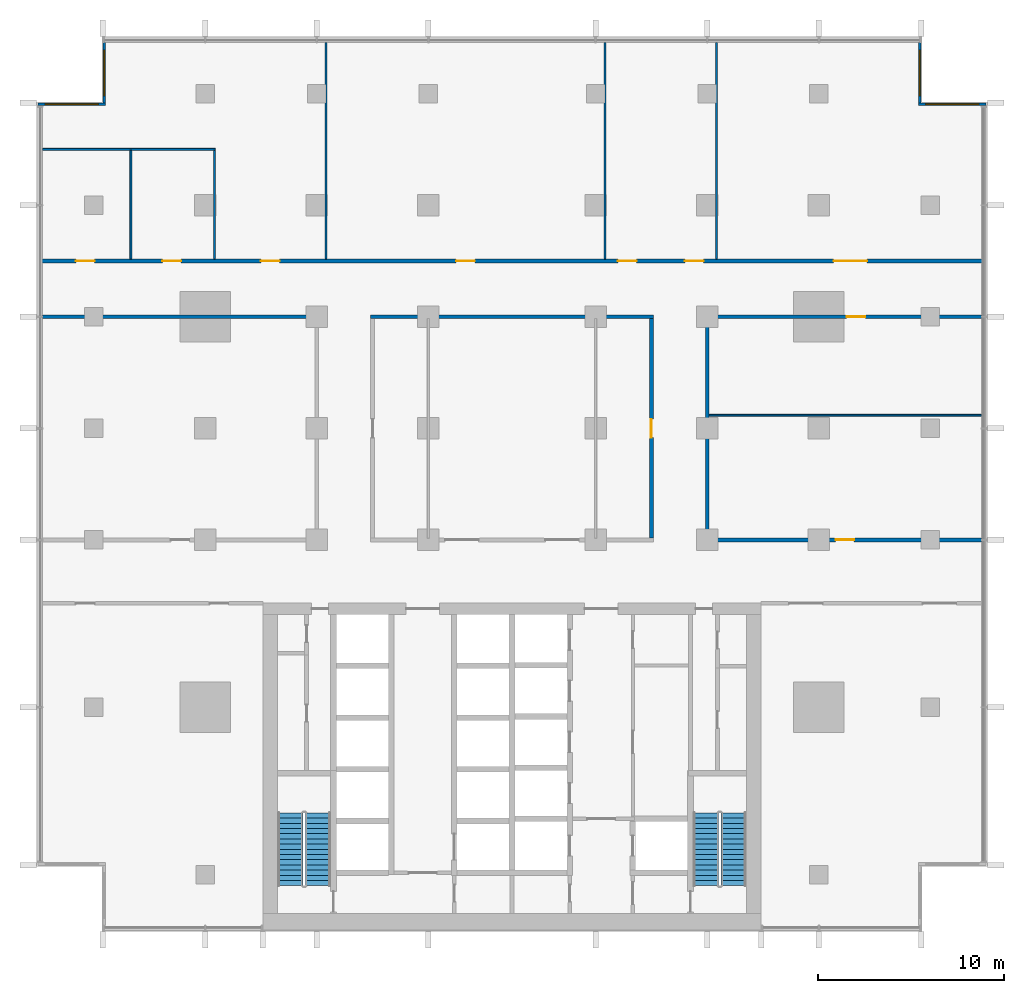
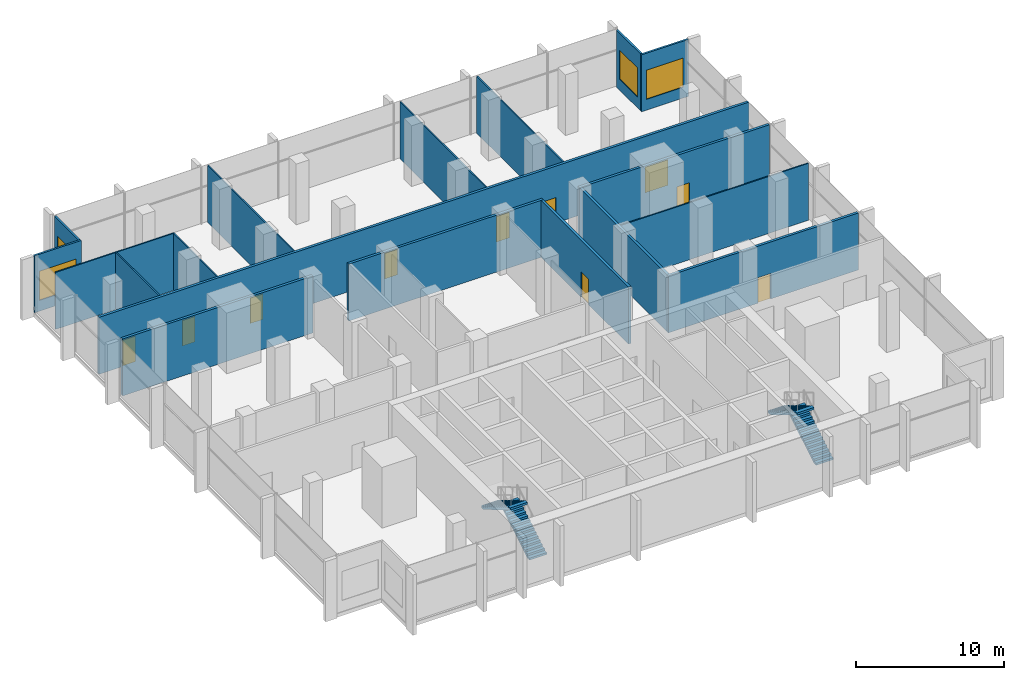
# One storey, part 9 of 14: 18 walls, 10 doors, 4 stair flights, 4 windows, 14 openings, 2 elements without a shape of their own.
"""IFC4 building model written with IfcOpenShell, lengths in metres."""

from ifc_helpers import new_model, si_unit, direction, frame, frame_2d, origin, place, context, subcontext, project, spatial, polyline, rectangle, outline, extrude, material, layer, layer_set, type_object, element, fill, aggregate, save


model = new_model("IFC4")

# Units and contexts
model_context = context("Model", 3, precision=1e-05, world=origin(), true_north=direction((0.0, 1.0)))
body_context = subcontext(model_context, "Body", "Model", "MODEL_VIEW")
ifc_project = project(units=[si_unit("LENGTHUNIT", "METRE"), si_unit("AREAUNIT", "SQUARE_METRE"), si_unit("VOLUMEUNIT", "CUBIC_METRE"), si_unit("PLANEANGLEUNIT", "RADIAN"), si_unit("MASSUNIT", "GRAM", prefix="KILO")], contexts=[model_context])

# Site, building, storey
site_placement = place(None, origin())
site = spatial("IfcSite", under=ifc_project, at=site_placement, CompositionType="ELEMENT")
building_placement = place(site_placement, origin())
building = spatial("IfcBuilding", under=site, at=building_placement, Name="Finial Court Residences", CompositionType="ELEMENT")
storey_placement = place(building_placement, frame((0.0, 0.0, 133.89990234375)))
storey = spatial("IfcBuildingStorey", under=building, at=storey_placement, Name="L33", CompositionType="ELEMENT", Elevation=133.89990234375)

# Wall, opening, door
ifc_material_1 = material(Name="Gypsum board")
ifc_layer_1 = layer(ifc_material_1, 0.02490234375)
ifc_material_2 = material(Name="Acoustic mineral wool in double frame")
ifc_layer_2 = layer(ifc_material_2, 0.14990234375)
ifc_layer_3 = layer(ifc_material_1, 0.02490234375)
ifc_layer_set_1 = layer_set([ifc_layer_1, ifc_layer_2, ifc_layer_3], Name="Corridor wall 200, 1 hour")
wall_type_1 = type_object("IfcWallType", Name="Corridor wall 200, 1 hour", PredefinedType="PARTITIONING", material=ifc_layer_set_1)
wall_1_placement = place(storey_placement, frame((10.39990234375, -4.5, 0.0), z_axis=(0.0, 0.0, 1.0), x_axis=(1.0, 0.0, 0.0)))
wall_1 = element("IfcWall", 1, at=wall_1_placement, inside=storey, type_object=wall_type_1, Name="Partition L33-004", PredefinedType="PARTITIONING", context=body_context, shape_type="SweptSolid", body=[
    extrude(rectangle(XDim=14.837646484375, YDim=0.199951171875, at=frame_2d((7.4189453125, 0.0))), origin(), (0.0, 0.0, 1.0), 4.7001953125),
])
opening_1_placement = place(wall_1_placement, frame((7.0, 0.0, 0.0)))
opening_1 = element("IfcOpeningElement", 2, at=opening_1_placement, cuts=wall_1, Name="Opening L33-D008", PredefinedType="OPENING", context=body_context, shape_type="SweptSolid", body=[
    extrude(rectangle(XDim=1.0, YDim=2.10009765625, at=frame_2d((0.5, 1.050048828125))), frame((0.0, 0.10986328125, 0.0), z_axis=(0.0, -1.0, 0.0), x_axis=(1.0, 0.0, 0.0)), (0.0, 0.0, 1.0), 0.219970703125),
])
ifc_material_3 = material(Name="Timber door leaf in hollow metal frame", Category="wood")
door_type_1 = type_object("IfcDoorType", Name="Fire door set 1000 x 2100, 30 minutes", OperationType="SINGLE_SWING_LEFT", PredefinedType="DOOR", material=ifc_material_3)
door_1_placement = place(opening_1_placement, origin())
door_1 = element("IfcDoor", 3, at=door_1_placement, inside=storey, type_object=door_type_1, Name="Door L33-D008", OperationType="SINGLE_SWING_RIGHT", OverallHeight=2.10009765625, OverallWidth=1.0, PredefinedType="DOOR", context=body_context, shape_type="SweptSolid", body=[
    extrude(rectangle(XDim=1.0, YDim=2.10009765625, at=frame_2d((0.5, 1.050048828125))), frame((0.0, 0.02490234375, 0.0), z_axis=(0.0, -1.0, 0.0), x_axis=(1.0, 0.0, 0.0)), (0.0, 0.0, 1.0), 0.050048828125),
])
fill(opening_1, door_1)

# Walls
wall_2_placement = place(storey_placement, frame((-25.237548828125, 7.5, 0.0), z_axis=(0.0, 0.0, 1.0), x_axis=(1.0, 0.0, 0.0)))
element("IfcWall", 4, at=wall_2_placement, inside=storey, type_object=wall_type_1, Name="Partition L33-006", PredefinedType="PARTITIONING", context=body_context, shape_type="SweptSolid", body=[
    extrude(rectangle(XDim=14.837646484375, YDim=0.199951171875, at=frame_2d((7.4189453125, 0.0))), origin(), (0.0, 0.0, 1.0), 4.7001953125),
])
wall_3_placement = place(storey_placement, frame((-7.60009765625, 7.5, 0.0), z_axis=(0.0, 0.0, 1.0), x_axis=(1.0, 0.0, 0.0)))
element("IfcWall", 5, at=wall_3_placement, inside=storey, type_object=wall_type_1, Name="Partition L33-007", PredefinedType="PARTITIONING", context=body_context, shape_type="SweptSolid", body=[
    extrude(rectangle(XDim=15.2001953125, YDim=0.199951171875, at=frame_2d((7.60009765625, 0.0))), origin(), (0.0, 0.0, 1.0), 4.7001953125),
])

# Wall, opening, door
wall_4_placement = place(storey_placement, frame((10.39990234375, 7.5, 0.0), z_axis=(0.0, 0.0, 1.0), x_axis=(1.0, 0.0, 0.0)))
wall_4 = element("IfcWall", 6, at=wall_4_placement, inside=storey, type_object=wall_type_1, Name="Partition L33-008", PredefinedType="PARTITIONING", context=body_context, shape_type="SweptSolid", body=[
    extrude(rectangle(XDim=14.837646484375, YDim=0.199951171875, at=frame_2d((7.4189453125, 0.0))), origin(), (0.0, 0.0, 1.0), 4.7001953125),
])
opening_2_placement = place(wall_4_placement, frame((7.60009765625, 0.0, 0.0)))
opening_2 = element("IfcOpeningElement", 7, at=opening_2_placement, cuts=wall_4, Name="Opening L33-D009", PredefinedType="OPENING", context=body_context, shape_type="SweptSolid", body=[
    extrude(rectangle(XDim=1.0, YDim=2.10009765625, at=frame_2d((0.5, 1.050048828125))), frame((0.0, 0.10986328125, 0.0), z_axis=(0.0, -1.0, 0.0), x_axis=(1.0, 0.0, 0.0)), (0.0, 0.0, 1.0), 0.219970703125),
])
door_2_placement = place(opening_2_placement, origin())
door_2 = element("IfcDoor", 8, at=door_2_placement, inside=storey, type_object=door_type_1, Name="Door L33-D009", OperationType="SINGLE_SWING_RIGHT", OverallHeight=2.10009765625, OverallWidth=1.0, PredefinedType="DOOR", context=body_context, shape_type="SweptSolid", body=[
    extrude(rectangle(XDim=1.0, YDim=2.10009765625, at=frame_2d((0.5, 1.050048828125))), frame((0.0, 0.02490234375, 0.0), z_axis=(0.0, -1.0, 0.0), x_axis=(1.0, 0.0, 0.0)), (0.0, 0.0, 1.0), 0.050048828125),
])
fill(opening_2, door_2)

# Wall, openings, doors
wall_5_placement = place(storey_placement, frame((-25.35009765625, 10.5, 0.0), z_axis=(0.0, 0.0, 1.0), x_axis=(1.0, 0.0, 0.0)))
wall_5 = element("IfcWall", 9, at=wall_5_placement, inside=storey, type_object=wall_type_1, Name="Partition L33-009", PredefinedType="PARTITIONING", context=body_context, shape_type="SweptSolid", body=[
    extrude(rectangle(XDim=50.7001953125, YDim=0.199951171875, at=frame_2d((25.35009765625, 0.0))), origin(), (0.0, 0.0, 1.0), 4.7001953125),
])
opening_3_placement = place(wall_5_placement, frame((1.89990234375, 0.0, 0.0)))
opening_3 = element("IfcOpeningElement", 10, at=opening_3_placement, cuts=wall_5, Name="Opening L33-D010", PredefinedType="OPENING", context=body_context, shape_type="SweptSolid", body=[
    extrude(rectangle(XDim=1.0, YDim=2.10009765625, at=frame_2d((0.5, 1.050048828125))), frame((0.0, 0.10986328125, 0.0), z_axis=(0.0, -1.0, 0.0), x_axis=(1.0, 0.0, 0.0)), (0.0, 0.0, 1.0), 0.219970703125),
])
opening_4_placement = place(wall_5_placement, frame((6.550048828125, 0.0, 0.0)))
opening_4 = element("IfcOpeningElement", 11, at=opening_4_placement, cuts=wall_5, Name="Opening L33-D011", PredefinedType="OPENING", context=body_context, shape_type="SweptSolid", body=[
    extrude(rectangle(XDim=1.0, YDim=2.10009765625, at=frame_2d((0.5, 1.050048828125))), frame((0.0, 0.10986328125, 0.0), z_axis=(0.0, -1.0, 0.0), x_axis=(1.0, 0.0, 0.0)), (0.0, 0.0, 1.0), 0.219970703125),
])
opening_5_placement = place(wall_5_placement, frame((11.85009765625, 0.0, 0.0)))
opening_5 = element("IfcOpeningElement", 12, at=opening_5_placement, cuts=wall_5, Name="Opening L33-D012", PredefinedType="OPENING", context=body_context, shape_type="SweptSolid", body=[
    extrude(rectangle(XDim=1.0, YDim=2.10009765625, at=frame_2d((0.5, 1.050048828125))), frame((0.0, 0.10986328125, 0.0), z_axis=(0.0, -1.0, 0.0), x_axis=(1.0, 0.0, 0.0)), (0.0, 0.0, 1.0), 0.219970703125),
])
opening_6_placement = place(wall_5_placement, frame((22.35009765625, 0.0, 0.0)))
opening_6 = element("IfcOpeningElement", 13, at=opening_6_placement, cuts=wall_5, Name="Opening L33-D013", PredefinedType="OPENING", context=body_context, shape_type="SweptSolid", body=[
    extrude(rectangle(XDim=1.0, YDim=2.10009765625, at=frame_2d((0.5, 1.050048828125))), frame((0.0, 0.10986328125, 0.0), z_axis=(0.0, -1.0, 0.0), x_axis=(1.0, 0.0, 0.0)), (0.0, 0.0, 1.0), 0.219970703125),
])
opening_7_placement = place(wall_5_placement, frame((31.050048828125, 0.0, 0.0)))
opening_7 = element("IfcOpeningElement", 14, at=opening_7_placement, cuts=wall_5, Name="Opening L33-D014", PredefinedType="OPENING", context=body_context, shape_type="SweptSolid", body=[
    extrude(rectangle(XDim=1.0, YDim=2.10009765625, at=frame_2d((0.5, 1.050048828125))), frame((0.0, 0.10986328125, 0.0), z_axis=(0.0, -1.0, 0.0), x_axis=(1.0, 0.0, 0.0)), (0.0, 0.0, 1.0), 0.219970703125),
])
opening_8_placement = place(wall_5_placement, frame((34.64990234375, 0.0, 0.0)))
opening_8 = element("IfcOpeningElement", 15, at=opening_8_placement, cuts=wall_5, Name="Opening L33-D015", PredefinedType="OPENING", context=body_context, shape_type="SweptSolid", body=[
    extrude(rectangle(XDim=1.0, YDim=2.10009765625, at=frame_2d((0.5, 1.050048828125))), frame((0.0, 0.10986328125, 0.0), z_axis=(0.0, -1.0, 0.0), x_axis=(1.0, 0.0, 0.0)), (0.0, 0.0, 1.0), 0.219970703125),
])
opening_9_placement = place(wall_5_placement, frame((42.64990234375, 0.0, 0.0)))
opening_9 = element("IfcOpeningElement", 16, at=opening_9_placement, cuts=wall_5, Name="Opening L33-D016", PredefinedType="OPENING", context=body_context, shape_type="SweptSolid", body=[
    extrude(rectangle(XDim=1.800048828125, YDim=2.10009765625, at=frame_2d((0.89990234375, 1.050048828125))), frame((0.0, 0.10986328125, 0.0), z_axis=(0.0, -1.0, 0.0), x_axis=(1.0, 0.0, 0.0)), (0.0, 0.0, 1.0), 0.219970703125),
])
door_3_placement = place(opening_3_placement, origin())
door_3 = element("IfcDoor", 17, at=door_3_placement, inside=storey, type_object=door_type_1, Name="Door L33-D010", OperationType="SINGLE_SWING_RIGHT", OverallHeight=2.10009765625, OverallWidth=1.0, PredefinedType="DOOR", context=body_context, shape_type="SweptSolid", body=[
    extrude(rectangle(XDim=1.0, YDim=2.10009765625, at=frame_2d((0.5, 1.050048828125))), frame((0.0, 0.02490234375, 0.0), z_axis=(0.0, -1.0, 0.0), x_axis=(1.0, 0.0, 0.0)), (0.0, 0.0, 1.0), 0.050048828125),
])
fill(opening_3, door_3)
door_4_placement = place(opening_4_placement, origin())
door_4 = element("IfcDoor", 18, at=door_4_placement, inside=storey, type_object=door_type_1, Name="Door L33-D011", OperationType="SINGLE_SWING_RIGHT", OverallHeight=2.10009765625, OverallWidth=1.0, PredefinedType="DOOR", context=body_context, shape_type="SweptSolid", body=[
    extrude(rectangle(XDim=1.0, YDim=2.10009765625, at=frame_2d((0.5, 1.050048828125))), frame((0.0, 0.02490234375, 0.0), z_axis=(0.0, -1.0, 0.0), x_axis=(1.0, 0.0, 0.0)), (0.0, 0.0, 1.0), 0.050048828125),
])
fill(opening_4, door_4)
door_5_placement = place(opening_5_placement, origin())
door_5 = element("IfcDoor", 19, at=door_5_placement, inside=storey, type_object=door_type_1, Name="Door L33-D012", OperationType="SINGLE_SWING_RIGHT", OverallHeight=2.10009765625, OverallWidth=1.0, PredefinedType="DOOR", context=body_context, shape_type="SweptSolid", body=[
    extrude(rectangle(XDim=1.0, YDim=2.10009765625, at=frame_2d((0.5, 1.050048828125))), frame((0.0, 0.02490234375, 0.0), z_axis=(0.0, -1.0, 0.0), x_axis=(1.0, 0.0, 0.0)), (0.0, 0.0, 1.0), 0.050048828125),
])
fill(opening_5, door_5)
door_6_placement = place(opening_6_placement, origin())
door_6 = element("IfcDoor", 20, at=door_6_placement, inside=storey, type_object=door_type_1, Name="Door L33-D013", OperationType="SINGLE_SWING_RIGHT", OverallHeight=2.10009765625, OverallWidth=1.0, PredefinedType="DOOR", context=body_context, shape_type="SweptSolid", body=[
    extrude(rectangle(XDim=1.0, YDim=2.10009765625, at=frame_2d((0.5, 1.050048828125))), frame((0.0, 0.02490234375, 0.0), z_axis=(0.0, -1.0, 0.0), x_axis=(1.0, 0.0, 0.0)), (0.0, 0.0, 1.0), 0.050048828125),
])
fill(opening_6, door_6)
door_7_placement = place(opening_7_placement, origin())
door_7 = element("IfcDoor", 21, at=door_7_placement, inside=storey, type_object=door_type_1, Name="Door L33-D014", OperationType="SINGLE_SWING_LEFT", OverallHeight=2.10009765625, OverallWidth=1.0, PredefinedType="DOOR", context=body_context, shape_type="SweptSolid", body=[
    extrude(rectangle(XDim=1.0, YDim=2.10009765625, at=frame_2d((0.5, 1.050048828125))), frame((0.0, 0.02490234375, 0.0), z_axis=(0.0, -1.0, 0.0), x_axis=(1.0, 0.0, 0.0)), (0.0, 0.0, 1.0), 0.050048828125),
])
fill(opening_7, door_7)
door_8_placement = place(opening_8_placement, origin())
door_8 = element("IfcDoor", 22, at=door_8_placement, inside=storey, type_object=door_type_1, Name="Door L33-D015", OperationType="SINGLE_SWING_LEFT", OverallHeight=2.10009765625, OverallWidth=1.0, PredefinedType="DOOR", context=body_context, shape_type="SweptSolid", body=[
    extrude(rectangle(XDim=1.0, YDim=2.10009765625, at=frame_2d((0.5, 1.050048828125))), frame((0.0, 0.02490234375, 0.0), z_axis=(0.0, -1.0, 0.0), x_axis=(1.0, 0.0, 0.0)), (0.0, 0.0, 1.0), 0.050048828125),
])
fill(opening_8, door_8)
door_type_2 = type_object("IfcDoorType", Name="Fire door set 1800 x 2100, 30 minutes", OperationType="DOUBLE_DOOR_SINGLE_SWING", PredefinedType="DOOR", material=ifc_material_3)
door_9_placement = place(opening_9_placement, origin())
door_9 = element("IfcDoor", 23, at=door_9_placement, inside=storey, type_object=door_type_2, Name="Door L33-D016", OperationType="DOUBLE_DOOR_SINGLE_SWING", OverallHeight=2.10009765625, OverallWidth=1.800048828125, PredefinedType="DOOR", context=body_context, shape_type="SweptSolid", body=[
    extrude(rectangle(XDim=1.800048828125, YDim=2.10009765625, at=frame_2d((0.89990234375, 1.050048828125))), frame((0.0, 0.02490234375, 0.0), z_axis=(0.0, -1.0, 0.0), x_axis=(1.0, 0.0, 0.0)), (0.0, 0.0, 1.0), 0.050048828125),
])
fill(opening_9, door_9)

# Wall, opening, door
wall_6_placement = place(storey_placement, frame((7.5, -4.39990234375, 0.0), z_axis=(0.0, 0.0, 1.0), x_axis=(0.0, 1.0, 0.0)))
wall_6 = element("IfcWall", 24, at=wall_6_placement, inside=storey, type_object=wall_type_1, Name="Partition L33-019", PredefinedType="PARTITIONING", context=body_context, shape_type="SweptSolid", body=[
    extrude(rectangle(XDim=11.7998046875, YDim=0.199951171875, at=frame_2d((5.89990234375, 0.0))), origin(), (0.0, 0.0, 1.0), 4.7001953125),
])
opening_10_placement = place(wall_6_placement, frame((5.39990234375, 0.0, 0.0)))
opening_10 = element("IfcOpeningElement", 25, at=opening_10_placement, cuts=wall_6, Name="Opening L33-D018", PredefinedType="OPENING", context=body_context, shape_type="SweptSolid", body=[
    extrude(rectangle(XDim=1.0, YDim=2.10009765625, at=frame_2d((0.5, 1.050048828125))), frame((0.0, 0.10986328125, 0.0), z_axis=(0.0, -1.0, 0.0), x_axis=(1.0, 0.0, 0.0)), (0.0, 0.0, 1.0), 0.219970703125),
])
door_10_placement = place(opening_10_placement, origin())
door_10 = element("IfcDoor", 26, at=door_10_placement, inside=storey, type_object=door_type_1, Name="Door L33-D018", OperationType="SINGLE_SWING_RIGHT", OverallHeight=2.10009765625, OverallWidth=1.0, PredefinedType="DOOR", context=body_context, shape_type="SweptSolid", body=[
    extrude(rectangle(XDim=1.0, YDim=2.10009765625, at=frame_2d((0.5, 1.050048828125))), frame((0.0, 0.02490234375, 0.0), z_axis=(0.0, -1.0, 0.0), x_axis=(1.0, 0.0, 0.0)), (0.0, 0.0, 1.0), 0.050048828125),
])
fill(opening_10, door_10)

# Walls
wall_7_placement = place(storey_placement, frame((10.5, -4.39990234375, 0.0), z_axis=(0.0, 0.0, 1.0), x_axis=(0.0, 1.0, 0.0)))
element("IfcWall", 27, at=wall_7_placement, inside=storey, type_object=wall_type_1, Name="Partition L33-020", PredefinedType="PARTITIONING", context=body_context, shape_type="SweptSolid", body=[
    extrude(rectangle(XDim=11.7998046875, YDim=0.199951171875, at=frame_2d((5.89990234375, 0.0))), origin(), (0.0, 0.0, 1.0), 4.7001953125),
])
ifc_layer_4 = layer(ifc_material_1, 0.012451171875)
ifc_material_4 = material(Name="Mineral wool in light-gauge frame")
ifc_layer_5 = layer(ifc_material_4, 0.074951171875)
ifc_layer_6 = layer(ifc_material_1, 0.012451171875)
ifc_layer_set_2 = layer_set([ifc_layer_4, ifc_layer_5, ifc_layer_6], Name="Gypsum board partition 100")
wall_type_2 = type_object("IfcWallType", Name="Gypsum board partition 100", PredefinedType="PARTITIONING", material=ifc_layer_set_2)
wall_8_placement = place(storey_placement, frame((10.60009765625, 2.199951171875, 0.0), z_axis=(0.0, 0.0, 1.0), x_axis=(1.0, 0.0, 0.0)))
element("IfcWall", 28, at=wall_8_placement, inside=storey, type_object=wall_type_2, Name="Partition L33-005", PredefinedType="PARTITIONING", context=body_context, shape_type="SweptSolid", body=[
    extrude(rectangle(XDim=14.637451171875, YDim=0.10009765625, at=frame_2d((7.31884765625, 0.0))), origin(), (0.0, 0.0, 1.0), 4.7001953125),
])
wall_9_placement = place(storey_placement, frame((-25.237548828125, 16.5, 0.0), z_axis=(0.0, 0.0, 1.0), x_axis=(1.0, 0.0, 0.0)))
element("IfcWall", 29, at=wall_9_placement, inside=storey, type_object=wall_type_2, Name="Partition L33-010", PredefinedType="PARTITIONING", context=body_context, shape_type="SweptSolid", body=[
    extrude(rectangle(XDim=9.28759765625, YDim=0.10009765625, at=frame_2d((4.643798828125, 0.0))), origin(), (0.0, 0.0, 1.0), 4.7001953125),
])
for number, where, z_axis, x_axis, name in (
    (30, (-20.5, 10.60009765625, 0.0), (0.0, 0.0, 1.0), (0.0, 1.0, 0.0), "Partition L33-011"),
    (31, (-16.0, 10.60009765625, 0.0), (0.0, 0.0, 1.0), (0.0, 1.0, 0.0), "Partition L33-012"),
):
    element("IfcWall", number, at=place(storey_placement, frame(where, z_axis=z_axis, x_axis=x_axis)), inside=storey, type_object=wall_type_2, Name=name, PredefinedType="PARTITIONING", context=body_context, shape_type="SweptSolid", body=[
        extrude(rectangle(XDim=5.849853515625, YDim=0.10009765625, at=frame_2d((2.9248046875, 0.0))), origin(), (0.0, 0.0, 1.0), 4.7001953125),
    ])
for number, where, z_axis, x_axis, name in (
    (32, (-10.0, 10.60009765625, 0.0), (0.0, 0.0, 1.0), (0.0, 1.0, 0.0), "Partition L33-014"),
    (33, (5.0, 10.60009765625, 0.0), (0.0, 0.0, 1.0), (0.0, 1.0, 0.0), "Partition L33-018"),
    (34, (11.0, 10.60009765625, 0.0), (0.0, 0.0, 1.0), (0.0, 1.0, 0.0), "Partition L33-021"),
):
    element("IfcWall", number, at=place(storey_placement, frame(where, z_axis=z_axis, x_axis=x_axis)), inside=storey, type_object=wall_type_2, Name=name, PredefinedType="PARTITIONING", context=body_context, shape_type="SweptSolid", body=[
        extrude(rectangle(XDim=11.637451171875, YDim=0.10009765625, at=frame_2d((5.81884765625, 0.0))), origin(), (0.0, 0.0, 1.0), 4.7001953125),
    ])

# Wall, opening, window
ifc_material_5 = material(Name="Natural limestone", Category="masonry")
ifc_layer_7 = layer(ifc_material_5, 0.14990234375)
ifc_layer_set_3 = layer_set([ifc_layer_7], Name="Limestone clad wall 150")
wall_type_3 = type_object("IfcWallType", Name="Limestone clad wall 150", PredefinedType="SOLIDWALL", material=ifc_layer_set_3)
wall_10_placement = place(storey_placement, frame((-21.925048828125, 19.0, 0.0), z_axis=(0.0, 0.0, 1.0), x_axis=(0.0, 1.0, 0.0)))
wall_10 = element("IfcWall", 35, at=wall_10_placement, inside=storey, type_object=wall_type_3, Name="E-L33-NWW10", PredefinedType="SOLIDWALL", context=body_context, shape_type="SweptSolid", body=[
    extrude(rectangle(XDim=3.237548828125, YDim=0.14990234375, at=frame_2d((1.61865234375, 0.0))), origin(), (0.0, 0.0, 1.0), 4.7001953125),
])
opening_11_placement = place(wall_10_placement, frame((0.398681640625, 0.0, 0.89990234375)))
opening_11 = element("IfcOpeningElement", 36, at=opening_11_placement, cuts=wall_10, Name="Opening WE33-05", PredefinedType="OPENING", context=body_context, shape_type="SweptSolid", body=[
    extrude(rectangle(XDim=2.43994140625, YDim=2.39990234375, at=frame_2d((1.219970703125, 1.199951171875))), frame((0.0, 0.0849609375, 0.0), z_axis=(0.0, -1.0, 0.0), x_axis=(1.0, 0.0, 0.0)), (0.0, 0.0, 1.0), 0.169921875),
])
ifc_material_6 = material(Name="Clear low-e glass", Category="glass")
window_type_1 = type_object("IfcWindowType", Name="Corner window 2440 x 2400", PartitioningType="SINGLE_PANEL", PredefinedType="WINDOW", material=ifc_material_6)
window_1_placement = place(opening_11_placement, origin())
window_1 = element("IfcWindow", 37, at=window_1_placement, inside=storey, type_object=window_type_1, Name="E-L33-NWW10-W1", OverallHeight=2.39990234375, OverallWidth=2.43994140625, PartitioningType="SINGLE_PANEL", PredefinedType="WINDOW", context=body_context, shape_type="SweptSolid", body=[
    extrude(rectangle(XDim=2.43994140625, YDim=2.39990234375, at=frame_2d((1.219970703125, 1.199951171875))), frame((0.0, 0.030029296875, 0.0), z_axis=(0.0, -1.0, 0.0), x_axis=(1.0, 0.0, 0.0)), (0.0, 0.0, 1.0), 0.06005859375),
])
fill(opening_11, window_1)

wall_11_placement = place(storey_placement, frame((-25.5, 18.925048828125, 0.0), z_axis=(0.0, 0.0, 1.0), x_axis=(1.0, 0.0, 0.0)))
wall_11 = element("IfcWall", 38, at=wall_11_placement, inside=storey, type_object=wall_type_3, Name="E-L33-NWN11", PredefinedType="SOLIDWALL", context=body_context, shape_type="SweptSolid", body=[
    extrude(rectangle(XDim=3.64990234375, YDim=0.14990234375, at=frame_2d((1.824951171875, 0.0))), origin(), (0.0, 0.0, 1.0), 4.7001953125),
])
opening_12_placement = place(wall_11_placement, frame((0.39990234375, 0.0, 0.89990234375)))
opening_12 = element("IfcOpeningElement", 39, at=opening_12_placement, cuts=wall_11, Name="Opening WE33-06", PredefinedType="OPENING", context=body_context, shape_type="SweptSolid", body=[
    extrude(rectangle(XDim=2.85009765625, YDim=2.39990234375, at=frame_2d((1.425048828125, 1.199951171875))), frame((0.0, 0.0849609375, 0.0), z_axis=(0.0, -1.0, 0.0), x_axis=(1.0, 0.0, 0.0)), (0.0, 0.0, 1.0), 0.169921875),
])
window_type_2 = type_object("IfcWindowType", Name="Corner window 2850 x 2400", PartitioningType="SINGLE_PANEL", PredefinedType="WINDOW", material=ifc_material_6)
window_2_placement = place(opening_12_placement, origin())
window_2 = element("IfcWindow", 40, at=window_2_placement, inside=storey, type_object=window_type_2, Name="E-L33-NWN11-W1", OverallHeight=2.39990234375, OverallWidth=2.85009765625, PartitioningType="SINGLE_PANEL", PredefinedType="WINDOW", context=body_context, shape_type="SweptSolid", body=[
    extrude(rectangle(XDim=2.85009765625, YDim=2.39990234375, at=frame_2d((1.425048828125, 1.199951171875))), frame((0.0, 0.030029296875, 0.0), z_axis=(0.0, -1.0, 0.0), x_axis=(1.0, 0.0, 0.0)), (0.0, 0.0, 1.0), 0.06005859375),
])
fill(opening_12, window_2)

wall_12_placement = place(storey_placement, frame((21.925048828125, 22.237548828125, 0.0), z_axis=(0.0, 0.0, 1.0), x_axis=(0.0, -1.0, 0.0)))
wall_12 = element("IfcWall", 41, at=wall_12_placement, inside=storey, type_object=wall_type_3, Name="E-L33-NWE12", PredefinedType="SOLIDWALL", context=body_context, shape_type="SweptSolid", body=[
    extrude(rectangle(XDim=3.237548828125, YDim=0.14990234375, at=frame_2d((1.61865234375, 0.0))), origin(), (0.0, 0.0, 1.0), 4.7001953125),
])
opening_13_placement = place(wall_12_placement, frame((0.398681640625, 0.0, 0.89990234375)))
opening_13 = element("IfcOpeningElement", 42, at=opening_13_placement, cuts=wall_12, Name="Opening WE33-07", PredefinedType="OPENING", context=body_context, shape_type="SweptSolid", body=[
    extrude(rectangle(XDim=2.43994140625, YDim=2.39990234375, at=frame_2d((1.219970703125, 1.199951171875))), frame((0.0, 0.0849609375, 0.0), z_axis=(0.0, -1.0, 0.0), x_axis=(1.0, 0.0, 0.0)), (0.0, 0.0, 1.0), 0.169921875),
])
window_3_placement = place(opening_13_placement, origin())
window_3 = element("IfcWindow", 43, at=window_3_placement, inside=storey, type_object=window_type_1, Name="E-L33-NWE12-W1", OverallHeight=2.39990234375, OverallWidth=2.43994140625, PartitioningType="SINGLE_PANEL", PredefinedType="WINDOW", context=body_context, shape_type="SweptSolid", body=[
    extrude(rectangle(XDim=2.43994140625, YDim=2.39990234375, at=frame_2d((1.219970703125, 1.199951171875))), frame((0.0, 0.030029296875, 0.0), z_axis=(0.0, -1.0, 0.0), x_axis=(1.0, 0.0, 0.0)), (0.0, 0.0, 1.0), 0.06005859375),
])
fill(opening_13, window_3)

wall_13_placement = place(storey_placement, frame((21.85009765625, 18.925048828125, 0.0), z_axis=(0.0, 0.0, 1.0), x_axis=(1.0, 0.0, 0.0)))
wall_13 = element("IfcWall", 44, at=wall_13_placement, inside=storey, type_object=wall_type_3, Name="E-L33-NWN13", PredefinedType="SOLIDWALL", context=body_context, shape_type="SweptSolid", body=[
    extrude(rectangle(XDim=3.64990234375, YDim=0.14990234375, at=frame_2d((1.824951171875, 0.0))), origin(), (0.0, 0.0, 1.0), 4.7001953125),
])
opening_14_placement = place(wall_13_placement, frame((0.39990234375, 0.0, 0.89990234375)))
opening_14 = element("IfcOpeningElement", 45, at=opening_14_placement, cuts=wall_13, Name="Opening WE33-08", PredefinedType="OPENING", context=body_context, shape_type="SweptSolid", body=[
    extrude(rectangle(XDim=2.85009765625, YDim=2.39990234375, at=frame_2d((1.425048828125, 1.199951171875))), frame((0.0, 0.0849609375, 0.0), z_axis=(0.0, -1.0, 0.0), x_axis=(1.0, 0.0, 0.0)), (0.0, 0.0, 1.0), 0.169921875),
])
window_4_placement = place(opening_14_placement, origin())
window_4 = element("IfcWindow", 46, at=window_4_placement, inside=storey, type_object=window_type_2, Name="E-L33-NWN13-W1", OverallHeight=2.39990234375, OverallWidth=2.85009765625, PartitioningType="SINGLE_PANEL", PredefinedType="WINDOW", context=body_context, shape_type="SweptSolid", body=[
    extrude(rectangle(XDim=2.85009765625, YDim=2.39990234375, at=frame_2d((1.425048828125, 1.199951171875))), frame((0.0, 0.030029296875, 0.0), z_axis=(0.0, -1.0, 0.0), x_axis=(1.0, 0.0, 0.0)), (0.0, 0.0, 1.0), 0.06005859375),
])
fill(opening_14, window_4)

# Stair, stair flights
ifc_material_7 = material(Name="Concrete C50/60", Category="concrete")
stair_type = type_object("IfcStairType", Name="Exit stair 30 risers of 166.7 mm", PredefinedType="HALF_TURN_STAIR", material=ifc_material_7)
stair_1_placement = place(storey_placement, origin())
stair_1 = element("IfcStair", 47, at=stair_1_placement, inside=storey, type_object=stair_type, Name="L33 Exit stair ST-1", PredefinedType="HALF_TURN_STAIR")
stair_flight_type = type_object("IfcStairFlightType", Name="Exit stair flight", PredefinedType="STRAIGHT", material=ifc_material_7)
stair_flight_1_placement = place(storey_placement, frame((-10.425048828125, -23.10009765625, 0.0), z_axis=(0.0, 0.0, 1.0), x_axis=(0.0, 1.0, 0.0)))
stair_flight_1 = element("IfcStairFlight", 48, at=stair_flight_1_placement, type_object=stair_flight_type, Name="ST-1 flight 1", NumberOfRisers=15, NumberOfTreads=14, PredefinedType="STRAIGHT", RiserHeight=0.166666667, TreadLength=0.28, context=body_context, shape_type="SweptSolid", body=[
    extrude(outline(polyline([(0.0, 0.0), (0.0, 0.166748046875), (0.280029296875, 0.166748046875), (0.280029296875, 0.333251953125), (0.56005859375, 0.333251953125), (0.56005859375, 0.5), (0.840087890625, 0.5), (0.840087890625, 0.666748046875), (1.1201171875, 0.666748046875), (1.1201171875, 0.833251953125), (1.39990234375, 0.833251953125), (1.39990234375, 1.0), (1.679931640625, 1.0), (1.679931640625, 1.166748046875), (1.9599609375, 1.166748046875), (1.9599609375, 1.333251953125), (2.239990234375, 1.333251953125), (2.239990234375, 1.5), (2.52001953125, 1.5), (2.52001953125, 1.666748046875), (2.800048828125, 1.666748046875), (2.800048828125, 1.833251953125), (3.080078125, 1.833251953125), (3.080078125, 2.0), (3.360107421875, 2.0), (3.360107421875, 2.166748046875), (3.639892578125, 2.166748046875), (3.639892578125, 2.333251953125), (3.919921875, 2.333251953125), (3.919921875, 2.5), (3.919921875, 2.158935546875), (0.29296875, 0.0), (0.0, 0.0)])), frame((0.0, 0.675048828125, 0.0), z_axis=(0.0, -1.0, 0.0), x_axis=(1.0, 0.0, 0.0)), (0.0, 0.0, 1.0), 1.35009765625),
])
stair_flight_2_placement = place(storey_placement, frame((-11.925048828125, -19.179931640625, 2.5), z_axis=(0.0, 0.0, 1.0), x_axis=(0.0, -1.0, 0.0)))
stair_flight_2 = element("IfcStairFlight", 49, at=stair_flight_2_placement, type_object=stair_flight_type, Name="ST-1 flight 2", NumberOfRisers=15, NumberOfTreads=14, PredefinedType="STRAIGHT", RiserHeight=0.166666667, TreadLength=0.28, context=body_context, shape_type="SweptSolid", body=[
    extrude(outline(polyline([(0.0, 0.0), (0.0, 0.166748046875), (0.280029296875, 0.166748046875), (0.280029296875, 0.333251953125), (0.56005859375, 0.333251953125), (0.56005859375, 0.5), (0.840087890625, 0.5), (0.840087890625, 0.666748046875), (1.1201171875, 0.666748046875), (1.1201171875, 0.833251953125), (1.39990234375, 0.833251953125), (1.39990234375, 1.0), (1.679931640625, 1.0), (1.679931640625, 1.166748046875), (1.9599609375, 1.166748046875), (1.9599609375, 1.333251953125), (2.239990234375, 1.333251953125), (2.239990234375, 1.5), (2.52001953125, 1.5), (2.52001953125, 1.666748046875), (2.800048828125, 1.666748046875), (2.800048828125, 1.833251953125), (3.080078125, 1.833251953125), (3.080078125, 2.0), (3.360107421875, 2.0), (3.360107421875, 2.166748046875), (3.639892578125, 2.166748046875), (3.639892578125, 2.333251953125), (3.919921875, 2.333251953125), (3.919921875, 2.5), (3.919921875, 2.158935546875), (0.29296875, 0.0), (0.0, 0.0)])), frame((0.0, 0.675048828125, 0.0), z_axis=(0.0, -1.0, 0.0), x_axis=(1.0, 0.0, 0.0)), (0.0, 0.0, 1.0), 1.35009765625),
])
aggregate(stair_1, [stair_flight_1, stair_flight_2])

stair_2_placement = place(storey_placement, origin())
stair_2 = element("IfcStair", 50, at=stair_2_placement, inside=storey, type_object=stair_type, Name="L33 Exit stair ST-2", PredefinedType="HALF_TURN_STAIR")
stair_flight_3_placement = place(storey_placement, frame((11.925048828125, -23.10009765625, 0.0), z_axis=(0.0, 0.0, 1.0), x_axis=(0.0, 1.0, 0.0)))
stair_flight_3 = element("IfcStairFlight", 51, at=stair_flight_3_placement, type_object=stair_flight_type, Name="ST-2 flight 1", NumberOfRisers=15, NumberOfTreads=14, PredefinedType="STRAIGHT", RiserHeight=0.166666667, TreadLength=0.28, context=body_context, shape_type="SweptSolid", body=[
    extrude(outline(polyline([(0.0, 0.0), (0.0, 0.166748046875), (0.280029296875, 0.166748046875), (0.280029296875, 0.333251953125), (0.56005859375, 0.333251953125), (0.56005859375, 0.5), (0.840087890625, 0.5), (0.840087890625, 0.666748046875), (1.1201171875, 0.666748046875), (1.1201171875, 0.833251953125), (1.39990234375, 0.833251953125), (1.39990234375, 1.0), (1.679931640625, 1.0), (1.679931640625, 1.166748046875), (1.9599609375, 1.166748046875), (1.9599609375, 1.333251953125), (2.239990234375, 1.333251953125), (2.239990234375, 1.5), (2.52001953125, 1.5), (2.52001953125, 1.666748046875), (2.800048828125, 1.666748046875), (2.800048828125, 1.833251953125), (3.080078125, 1.833251953125), (3.080078125, 2.0), (3.360107421875, 2.0), (3.360107421875, 2.166748046875), (3.639892578125, 2.166748046875), (3.639892578125, 2.333251953125), (3.919921875, 2.333251953125), (3.919921875, 2.5), (3.919921875, 2.158935546875), (0.29296875, 0.0), (0.0, 0.0)])), frame((0.0, 0.675048828125, 0.0), z_axis=(0.0, -1.0, 0.0), x_axis=(1.0, 0.0, 0.0)), (0.0, 0.0, 1.0), 1.35009765625),
])
stair_flight_4_placement = place(storey_placement, frame((10.425048828125, -19.179931640625, 2.5), z_axis=(0.0, 0.0, 1.0), x_axis=(0.0, -1.0, 0.0)))
stair_flight_4 = element("IfcStairFlight", 52, at=stair_flight_4_placement, type_object=stair_flight_type, Name="ST-2 flight 2", NumberOfRisers=15, NumberOfTreads=14, PredefinedType="STRAIGHT", RiserHeight=0.166666667, TreadLength=0.28, context=body_context, shape_type="SweptSolid", body=[
    extrude(outline(polyline([(0.0, 0.0), (0.0, 0.166748046875), (0.280029296875, 0.166748046875), (0.280029296875, 0.333251953125), (0.56005859375, 0.333251953125), (0.56005859375, 0.5), (0.840087890625, 0.5), (0.840087890625, 0.666748046875), (1.1201171875, 0.666748046875), (1.1201171875, 0.833251953125), (1.39990234375, 0.833251953125), (1.39990234375, 1.0), (1.679931640625, 1.0), (1.679931640625, 1.166748046875), (1.9599609375, 1.166748046875), (1.9599609375, 1.333251953125), (2.239990234375, 1.333251953125), (2.239990234375, 1.5), (2.52001953125, 1.5), (2.52001953125, 1.666748046875), (2.800048828125, 1.666748046875), (2.800048828125, 1.833251953125), (3.080078125, 1.833251953125), (3.080078125, 2.0), (3.360107421875, 2.0), (3.360107421875, 2.166748046875), (3.639892578125, 2.166748046875), (3.639892578125, 2.333251953125), (3.919921875, 2.333251953125), (3.919921875, 2.5), (3.919921875, 2.158935546875), (0.29296875, 0.0), (0.0, 0.0)])), frame((0.0, 0.675048828125, 0.0), z_axis=(0.0, -1.0, 0.0), x_axis=(1.0, 0.0, 0.0)), (0.0, 0.0, 1.0), 1.35009765625),
])
aggregate(stair_2, [stair_flight_3, stair_flight_4])

save(model, "model.ifc")
